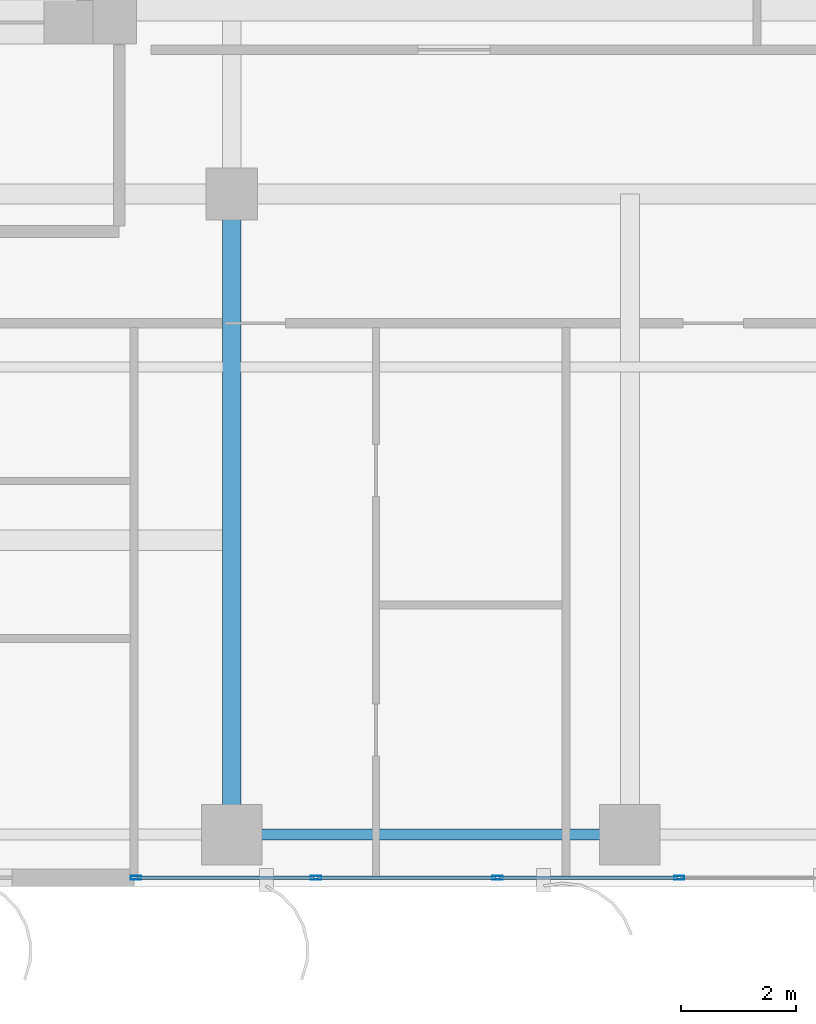
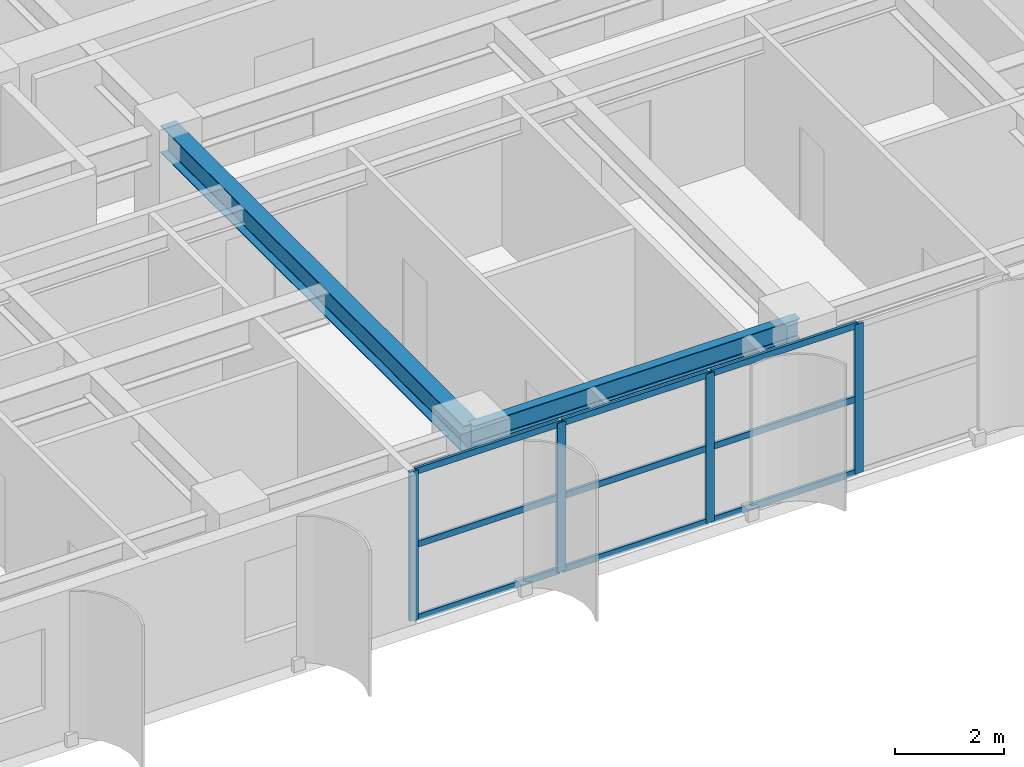
# One storey, part 2 of 19: 13 members, 2 beams, 1 element without a shape of its own.
"""IFC4 building model written with IfcOpenShell, lengths in metres."""

from ifc_helpers import new_model, si_unit, direction, frame, origin, origin_2d, place, context, subcontext, project, spatial, hollow_rectangle, i_section, extrude, source, transform, mapped, material, layer, layer_set, material_profile, profile_set, type_object, element, aggregate, save


model = new_model("IFC4")

# Units and contexts
model_context = context("Model", 3, precision=1e-05, world=origin(), true_north=direction((0.0, 1.0)))
body_context = subcontext(model_context, "Body", "Model", "MODEL_VIEW")
ifc_project = project(units=[si_unit("LENGTHUNIT", "METRE"), si_unit("AREAUNIT", "SQUARE_METRE"), si_unit("VOLUMEUNIT", "CUBIC_METRE"), si_unit("PLANEANGLEUNIT", "RADIAN"), si_unit("MASSUNIT", "GRAM", prefix="KILO")], contexts=[model_context])

# Site, building, storey
site_placement = place(None, origin())
site = spatial("IfcSite", under=ifc_project, at=site_placement, CompositionType="ELEMENT")
building_placement = place(site_placement, origin())
building = spatial("IfcBuilding", under=site, at=building_placement, Name="Khoralis Quay Care Tower", CompositionType="ELEMENT")
storey_placement = place(building_placement, frame((0.0, 0.0, 90.89990234375)))
storey = spatial("IfcBuildingStorey", under=building, at=storey_placement, Name="L23", CompositionType="ELEMENT", Elevation=90.89990234375)

# Beams
ifc_material_1 = material(Name="Steel S355", Category="steel")
ifc_material_profile_1 = material_profile(ifc_material_1, i_section(OverallWidth=0.18994140625, OverallDepth=0.449951171875, WebThickness=0.009521484375, FlangeThickness=0.0146484375, FilletRadius=0.02099609375, at=origin_2d()), Name="Steel S355")
ifc_profile_set_1 = profile_set([ifc_material_profile_1], Name="Steel S355")
beam_type_1 = type_object("IfcBeamType", Name="BM-IPE450", PredefinedType="SPANDREL", material=ifc_profile_set_1)
shared_shape_1 = source(origin(), body_context, "Body", "SweptSolid", [
    extrude(i_section(OverallWidth=0.18994140625, OverallDepth=0.449951171875, WebThickness=0.009521484375, FlangeThickness=0.0146484375, FilletRadius=0.02099609375, at=origin_2d()), origin(), (0.0, 0.0, 1.0), 6.89990234375),
])
beam_1_placement = place(storey_placement, frame((17.10009765625, 0.89990234375, 3.114990234375), z_axis=(1.0, 0.0, 0.0), x_axis=(0.0, 1.0, 0.0)))
element("IfcBeam", 1, at=beam_1_placement, inside=storey, type_object=beam_type_1, Name="BM-TSP-L23-03", PredefinedType="SPANDREL", context=body_context, shape_type="MappedRepresentation", body=[
    mapped(shared_shape_1, transform((0.0, 0.0, 0.0), scale=1.0)),
])
ifc_material_profile_2 = material_profile(ifc_material_1, i_section(OverallWidth=0.324951171875, OverallDepth=0.615966796875, WebThickness=0.013916015625, FlangeThickness=0.021484375, FilletRadius=0.01806640625, at=origin_2d()), Name="Steel S355")
ifc_profile_set_2 = profile_set([ifc_material_profile_2], Name="Steel S355")
beam_type_2 = type_object("IfcBeamType", Name="BM-W610X174", PredefinedType="BEAM", material=ifc_profile_set_2)
shared_shape_2 = source(origin(), body_context, "Body", "SweptSolid", [
    extrude(i_section(OverallWidth=0.324951171875, OverallDepth=0.615966796875, WebThickness=0.013916015625, FlangeThickness=0.021484375, FilletRadius=0.01806640625, at=origin_2d()), origin(), (0.0, 0.0, 1.0), 11.10009765625),
])
beam_2_placement = place(storey_placement, frame((17.10009765625, 0.89990234375, 3.031982421875), z_axis=(0.0, 1.0, 0.0), x_axis=(-1.0, 0.0, 0.0)))
element("IfcBeam", 2, at=beam_2_placement, inside=storey, type_object=beam_type_2, Name="BM-TGYS-L23-171", PredefinedType="BEAM", context=body_context, shape_type="MappedRepresentation", body=[
    mapped(shared_shape_2, transform((0.0, 0.0, 0.0), scale=1.0)),
])

# Curtain wall, members
ifc_material_2 = material(Name="Pale anodised aluminium", Category="aluminium")
ifc_layer = layer(ifc_material_2, 0.169921875)
ifc_layer_set = layer_set([ifc_layer], Name="Pale anodised aluminium")
curtain_wall_type = type_object("IfcCurtainWallType", Name="CW-SYS-Z2", PredefinedType="NOTDEFINED", material=ifc_layer_set)
curtain_wall_placement = place(storey_placement, origin())
curtain_wall = element("IfcCurtainWall", 3, at=curtain_wall_placement, inside=storey, type_object=curtain_wall_type, Name="L23 Unitised Curtain Wall CW-L23-P1-E0", PredefinedType="NOTDEFINED")
ifc_material_profile_3 = material_profile(ifc_material_2, hollow_rectangle(XDim=0.06494140625, YDim=0.179931640625, WallThickness=0.00390625, at=origin_2d()), Name="Pale anodised aluminium")
ifc_profile_set_3 = profile_set([ifc_material_profile_3], Name="Pale anodised aluminium")
member_type_1 = type_object("IfcMemberType", Name="CW-MUL-180", PredefinedType="MULLION", material=ifc_profile_set_3)
shared_shape_3 = source(origin(), body_context, "Body", "SweptSolid", [
    extrude(hollow_rectangle(XDim=0.06494140625, YDim=0.179931640625, WallThickness=0.00390625, at=origin_2d()), origin(), (0.0, 0.0, 1.0), 3.340087890625),
])
member_1_placement = place(storey_placement, frame((15.43994140625, 0.14990234375, 0.0), z_axis=(0.0, 0.0, 1.0), x_axis=(0.0, 1.0, 0.0)))
member_1 = element("IfcMember", 4, at=member_1_placement, type_object=member_type_1, Name="CW2 mullion 1", PredefinedType="MULLION", context=body_context, shape_type="MappedRepresentation", body=[
    mapped(shared_shape_3, transform((0.0, 0.0, 0.0), scale=1.0)),
])
member_2_placement = place(storey_placement, frame((18.558349609375, 0.14990234375, 0.0), z_axis=(0.0, 0.0, 1.0), x_axis=(0.0, 1.0, 0.0)))
member_2 = element("IfcMember", 5, at=member_2_placement, type_object=member_type_1, Name="CW2 mullion 2", PredefinedType="MULLION", context=body_context, shape_type="MappedRepresentation", body=[
    mapped(shared_shape_3, transform((0.0, 0.0, 0.0), scale=1.0)),
])
member_3_placement = place(storey_placement, frame((21.70654296875, 0.14990234375, 0.0), z_axis=(0.0, 0.0, 1.0), x_axis=(0.0, 1.0, 0.0)))
member_3 = element("IfcMember", 6, at=member_3_placement, type_object=member_type_1, Name="CW2 mullion 3", PredefinedType="MULLION", context=body_context, shape_type="MappedRepresentation", body=[
    mapped(shared_shape_3, transform((0.0, 0.0, 0.0), scale=1.0)),
])
member_4_placement = place(storey_placement, frame((24.854736328125, 0.14990234375, 0.0), z_axis=(0.0, 0.0, 1.0), x_axis=(0.0, 1.0, 0.0)))
member_4 = element("IfcMember", 7, at=member_4_placement, type_object=member_type_1, Name="CW2 mullion 4", PredefinedType="MULLION", context=body_context, shape_type="MappedRepresentation", body=[
    mapped(shared_shape_3, transform((0.0, 0.0, 0.0), scale=1.0)),
])
ifc_material_profile_4 = material_profile(ifc_material_2, hollow_rectangle(XDim=0.06005859375, YDim=0.139892578125, WallThickness=0.00390625, at=origin_2d()), Name="Pale anodised aluminium")
ifc_profile_set_4 = profile_set([ifc_material_profile_4], Name="Pale anodised aluminium")
member_type_2 = type_object("IfcMemberType", Name="CW-TRN-140", PredefinedType="USERDEFINED", material=ifc_profile_set_4)
shared_shape_4 = source(origin(), body_context, "Body", "SweptSolid", [
    extrude(hollow_rectangle(XDim=0.06005859375, YDim=0.139892578125, WallThickness=0.00390625, at=origin_2d()), origin(), (0.0, 0.0, 1.0), 3.058349609375),
])
member_5_placement = place(storey_placement, frame((15.469970703125, 0.14990234375, 0.030029296875), z_axis=(1.0, 0.0, 0.0), x_axis=(0.0, 1.0, 0.0)))
member_5 = element("IfcMember", 8, at=member_5_placement, type_object=member_type_2, Name="CW2 transom 1.1", ObjectType="TRANSOM", PredefinedType="USERDEFINED", context=body_context, shape_type="MappedRepresentation", body=[
    mapped(shared_shape_4, transform((0.0, 0.0, 0.0), scale=1.0)),
])
member_6_placement = place(storey_placement, frame((15.469970703125, 0.14990234375, 1.670166015625), z_axis=(1.0, 0.0, 0.0), x_axis=(0.0, 1.0, 0.0)))
member_6 = element("IfcMember", 9, at=member_6_placement, type_object=member_type_2, Name="CW2 transom 1.2", ObjectType="TRANSOM", PredefinedType="USERDEFINED", context=body_context, shape_type="MappedRepresentation", body=[
    mapped(shared_shape_4, transform((0.0, 0.0, 0.0), scale=1.0)),
])
member_7_placement = place(storey_placement, frame((15.469970703125, 0.14990234375, 3.31005859375), z_axis=(1.0, 0.0, 0.0), x_axis=(0.0, 1.0, 0.0)))
member_7 = element("IfcMember", 10, at=member_7_placement, type_object=member_type_2, Name="CW2 transom 1.3", ObjectType="TRANSOM", PredefinedType="USERDEFINED", context=body_context, shape_type="MappedRepresentation", body=[
    mapped(shared_shape_4, transform((0.0, 0.0, 0.0), scale=1.0)),
])
shared_shape_5 = source(origin(), body_context, "Body", "SweptSolid", [
    extrude(hollow_rectangle(XDim=0.06005859375, YDim=0.139892578125, WallThickness=0.00390625, at=origin_2d()), origin(), (0.0, 0.0, 1.0), 3.08837890625),
])
member_8_placement = place(storey_placement, frame((18.588134765625, 0.14990234375, 0.030029296875), z_axis=(1.0, 0.0, 0.0), x_axis=(0.0, 1.0, 0.0)))
member_8 = element("IfcMember", 11, at=member_8_placement, type_object=member_type_2, Name="CW2 transom 2.1", ObjectType="TRANSOM", PredefinedType="USERDEFINED", context=body_context, shape_type="MappedRepresentation", body=[
    mapped(shared_shape_5, transform((0.0, 0.0, 0.0), scale=1.0)),
])
member_9_placement = place(storey_placement, frame((18.588134765625, 0.14990234375, 1.670166015625), z_axis=(1.0, 0.0, 0.0), x_axis=(0.0, 1.0, 0.0)))
member_9 = element("IfcMember", 12, at=member_9_placement, type_object=member_type_2, Name="CW2 transom 2.2", ObjectType="TRANSOM", PredefinedType="USERDEFINED", context=body_context, shape_type="MappedRepresentation", body=[
    mapped(shared_shape_5, transform((0.0, 0.0, 0.0), scale=1.0)),
])
member_10_placement = place(storey_placement, frame((18.588134765625, 0.14990234375, 3.31005859375), z_axis=(1.0, 0.0, 0.0), x_axis=(0.0, 1.0, 0.0)))
member_10 = element("IfcMember", 13, at=member_10_placement, type_object=member_type_2, Name="CW2 transom 2.3", ObjectType="TRANSOM", PredefinedType="USERDEFINED", context=body_context, shape_type="MappedRepresentation", body=[
    mapped(shared_shape_5, transform((0.0, 0.0, 0.0), scale=1.0)),
])
shared_shape_6 = source(origin(), body_context, "Body", "SweptSolid", [
    extrude(hollow_rectangle(XDim=0.06005859375, YDim=0.139892578125, WallThickness=0.00390625, at=origin_2d()), origin(), (0.0, 0.0, 1.0), 3.088134765625),
])
member_11_placement = place(storey_placement, frame((21.736572265625, 0.14990234375, 0.030029296875), z_axis=(1.0, 0.0, 0.0), x_axis=(0.0, 1.0, 0.0)))
member_11 = element("IfcMember", 14, at=member_11_placement, type_object=member_type_2, Name="CW2 transom 3.1", ObjectType="TRANSOM", PredefinedType="USERDEFINED", context=body_context, shape_type="MappedRepresentation", body=[
    mapped(shared_shape_6, transform((0.0, 0.0, 0.0), scale=1.0)),
])
member_12_placement = place(storey_placement, frame((21.736572265625, 0.14990234375, 1.670166015625), z_axis=(1.0, 0.0, 0.0), x_axis=(0.0, 1.0, 0.0)))
member_12 = element("IfcMember", 15, at=member_12_placement, type_object=member_type_2, Name="CW2 transom 3.2", ObjectType="TRANSOM", PredefinedType="USERDEFINED", context=body_context, shape_type="MappedRepresentation", body=[
    mapped(shared_shape_6, transform((0.0, 0.0, 0.0), scale=1.0)),
])
member_13_placement = place(storey_placement, frame((21.736572265625, 0.14990234375, 3.31005859375), z_axis=(1.0, 0.0, 0.0), x_axis=(0.0, 1.0, 0.0)))
member_13 = element("IfcMember", 16, at=member_13_placement, type_object=member_type_2, Name="CW2 transom 3.3", ObjectType="TRANSOM", PredefinedType="USERDEFINED", context=body_context, shape_type="MappedRepresentation", body=[
    mapped(shared_shape_6, transform((0.0, 0.0, 0.0), scale=1.0)),
])
aggregate(curtain_wall, [member_1, member_2, member_3, member_4, member_5, member_6, member_7, member_8, member_9, member_10, member_11, member_12, member_13])

save(model, "model.ifc")
